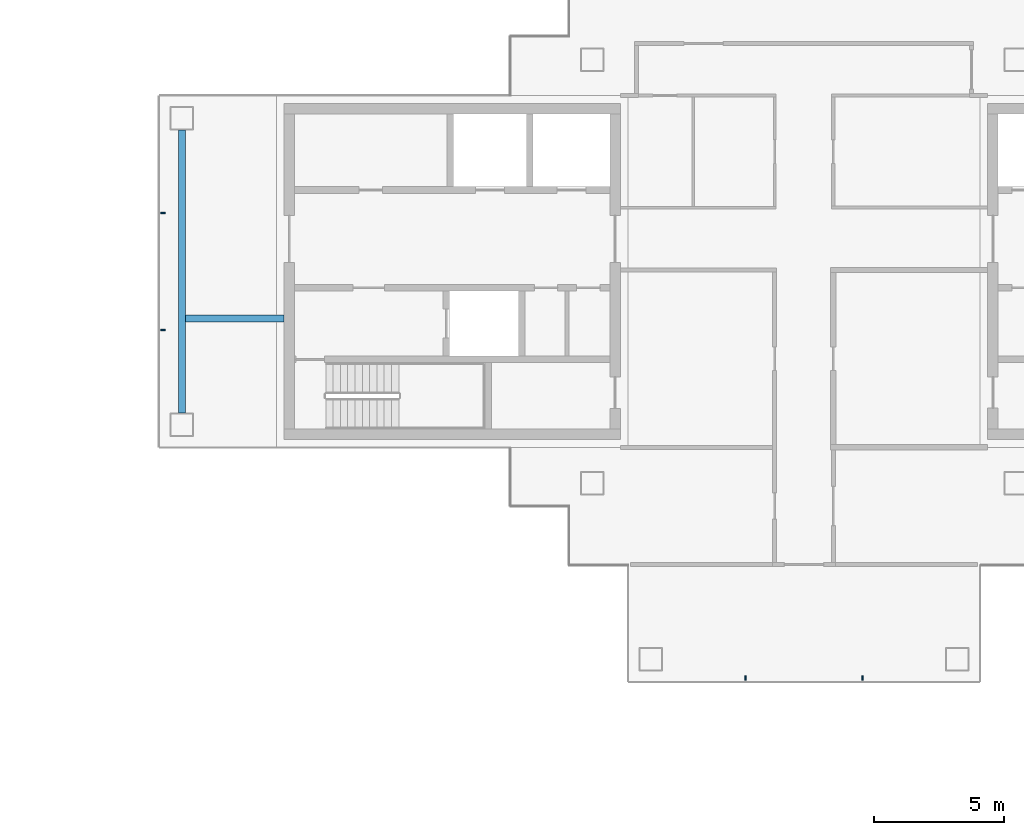
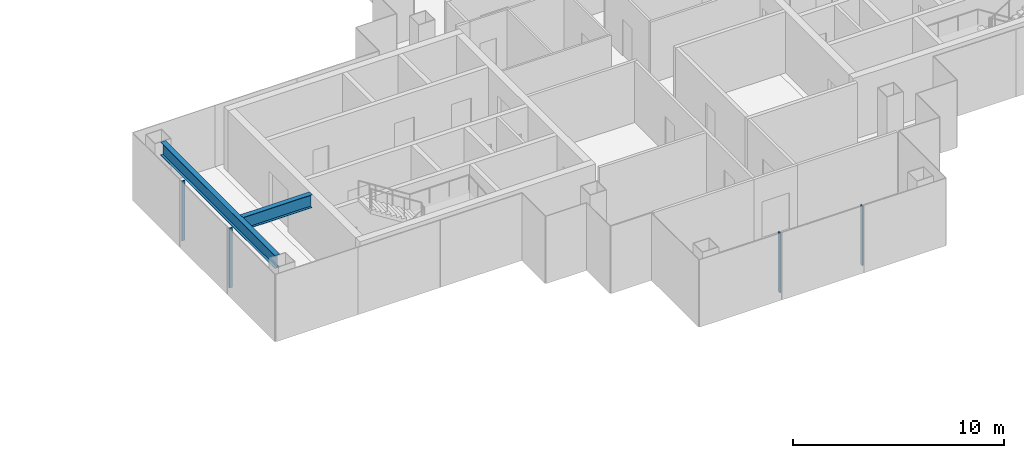
# One storey, part 5 of 16: 4 members, 2 beams, 2 elements without a shape of their own.
"""IFC4 building model written with IfcOpenShell, lengths in metres."""

from ifc_helpers import new_model, si_unit, direction, frame, origin, origin_2d, place, context, subcontext, project, spatial, rectangle, i_section, extrude, material, layer, layer_set, material_profile, profile_set, type_object, element, aggregate, save


model = new_model("IFC4")

# Units and contexts
model_context = context("Model", 3, precision=1e-05, world=origin(), true_north=direction((0.0, 1.0)))
body_context = subcontext(model_context, "Body", "Model", "MODEL_VIEW")
ifc_project = project(units=[si_unit("LENGTHUNIT", "METRE"), si_unit("AREAUNIT", "SQUARE_METRE"), si_unit("VOLUMEUNIT", "CUBIC_METRE"), si_unit("PLANEANGLEUNIT", "RADIAN"), si_unit("MASSUNIT", "GRAM", prefix="KILO")], contexts=[model_context])

# Site, building, storey
site_placement = place(None, origin())
site = spatial("IfcSite", under=ifc_project, at=site_placement, CompositionType="ELEMENT")
building_placement = place(site_placement, origin())
building = spatial("IfcBuilding", under=site, at=building_placement, Name="Shamsa Quay Exchange Towers", CompositionType="ELEMENT")
storey_placement = place(building_placement, frame((0.0, 0.0, 265.5)))
storey = spatial("IfcBuildingStorey", under=building, at=storey_placement, Name="L64", CompositionType="ELEMENT", Elevation=265.5)

# Curtain wall, members
ifc_material_1 = material(Name="Aluminium EN AW-6063 T6, black anodised", Category="aluminium")
ifc_layer = layer(ifc_material_1, 0.280029296875)
ifc_layer_set = layer_set([ifc_layer], Name="CW-1 UNITISED VISION GLASS")
curtain_wall_type = type_object("IfcCurtainWallType", Name="CW-1 UNITISED VISION GLASS", PredefinedType="NOTDEFINED", material=ifc_layer_set)
curtain_wall_1_placement = place(storey_placement, origin())
curtain_wall_1 = element("IfcCurtainWall", 1, at=curtain_wall_1_placement, inside=storey, type_object=curtain_wall_type, Name="CW1 T2-END-V+ L64", PredefinedType="NOTDEFINED")
ifc_material_profile_1 = material_profile(ifc_material_1, rectangle(XDim=0.179931640625, YDim=0.06005859375, at=origin_2d()), Name="MU60x180")
ifc_profile_set_1 = profile_set([ifc_material_profile_1], Name="Aluminium EN AW-6063 T6, black anodised")
member_type = type_object("IfcMemberType", Name="CW1 MULLION 60x180", PredefinedType="MULLION", material=ifc_profile_set_1)
member_1_placement = place(storey_placement, frame((9.14990234375, 2.25, 0.0)))
member_1 = element("IfcMember", 2, at=member_1_placement, type_object=member_type, Name="CW1 mullion", PredefinedType="MULLION", context=body_context, shape_type="SweptSolid", body=[
    extrude(rectangle(XDim=0.179931640625, YDim=0.06005859375, at=origin_2d()), origin(), (0.0, 0.0, 1.0), 3.449951171875),
])
member_2_placement = place(storey_placement, frame((9.14990234375, -2.25, 0.0)))
member_2 = element("IfcMember", 3, at=member_2_placement, type_object=member_type, Name="CW1 mullion", PredefinedType="MULLION", context=body_context, shape_type="SweptSolid", body=[
    extrude(rectangle(XDim=0.179931640625, YDim=0.06005859375, at=origin_2d()), origin(), (0.0, 0.0, 1.0), 3.449951171875),
])
aggregate(curtain_wall_1, [member_1, member_2])

curtain_wall_2_placement = place(storey_placement, origin())
curtain_wall_2 = element("IfcCurtainWall", 4, at=curtain_wall_2_placement, inside=storey, type_object=curtain_wall_type, Name="CW1 T2-END-U- L64", PredefinedType="NOTDEFINED")
member_3_placement = place(storey_placement, frame((31.5, -15.60009765625, 0.0), z_axis=(0.0, 0.0, 1.0), x_axis=(0.0, 1.0, 0.0)))
member_3 = element("IfcMember", 5, at=member_3_placement, type_object=member_type, Name="CW1 mullion", PredefinedType="MULLION", context=body_context, shape_type="SweptSolid", body=[
    extrude(rectangle(XDim=0.179931640625, YDim=0.06005859375, at=origin_2d()), origin(), (0.0, 0.0, 1.0), 3.449951171875),
])
member_4_placement = place(storey_placement, frame((36.0, -15.60009765625, 0.0), z_axis=(0.0, 0.0, 1.0), x_axis=(0.0, 1.0, 0.0)))
member_4 = element("IfcMember", 6, at=member_4_placement, type_object=member_type, Name="CW1 mullion", PredefinedType="MULLION", context=body_context, shape_type="SweptSolid", body=[
    extrude(rectangle(XDim=0.179931640625, YDim=0.06005859375, at=origin_2d()), origin(), (0.0, 0.0, 1.0), 3.449951171875),
])
aggregate(curtain_wall_2, [member_3, member_4])

# Beams
ifc_material_2 = material(Name="Steel S355", Category="steel")
ifc_material_profile_2 = material_profile(ifc_material_2, i_section(OverallWidth=0.26611328125, OverallDepth=0.7578125, WebThickness=0.013916015625, FlangeThickness=0.019287109375, at=origin_2d()), Name="W30x108")
ifc_profile_set_2 = profile_set([ifc_material_profile_2], Name="Steel S355")
beam_type = type_object("IfcBeamType", Name="End-zone beam W30x108", PredefinedType="BEAM", material=ifc_profile_set_2)
beam_1_placement = place(storey_placement, frame((9.875, -5.425048828125, 3.171142578125), z_axis=(0.0, 1.0, 0.0), x_axis=(-1.0, 0.0, 0.0)))
element("IfcBeam", 7, at=beam_1_placement, inside=storey, type_object=beam_type, Name="End beam T2 V+ end zone L64", PredefinedType="BEAM", context=body_context, shape_type="SweptSolid", body=[
    extrude(i_section(OverallWidth=0.26611328125, OverallDepth=0.7578125, WebThickness=0.013916015625, FlangeThickness=0.019287109375, at=origin_2d()), origin(), (0.0, 0.0, 1.0), 10.85009765625),
])
beam_2_placement = place(storey_placement, frame((13.800048828125, -1.800048828125, 3.171142578125), z_axis=(-1.0, 0.0, 0.0), x_axis=(0.0, -1.0, 0.0)))
element("IfcBeam", 8, at=beam_2_placement, inside=storey, type_object=beam_type, Name="Spine beam T2 V+ end zone L64", PredefinedType="BEAM", context=body_context, shape_type="SweptSolid", body=[
    extrude(i_section(OverallWidth=0.26611328125, OverallDepth=0.7578125, WebThickness=0.013916015625, FlangeThickness=0.019287109375, at=origin_2d()), origin(), (0.0, 0.0, 1.0), 3.7919921875),
])

save(model, "model.ifc")
